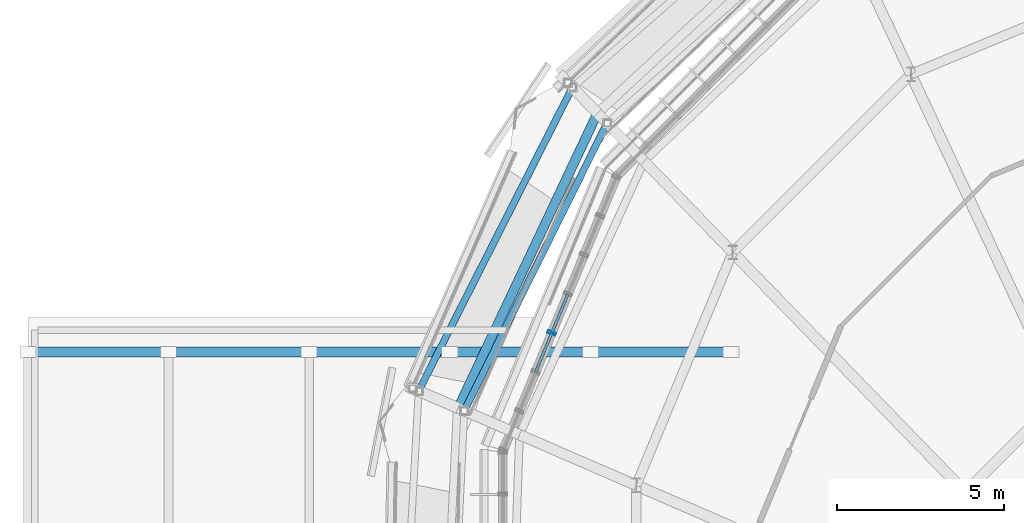
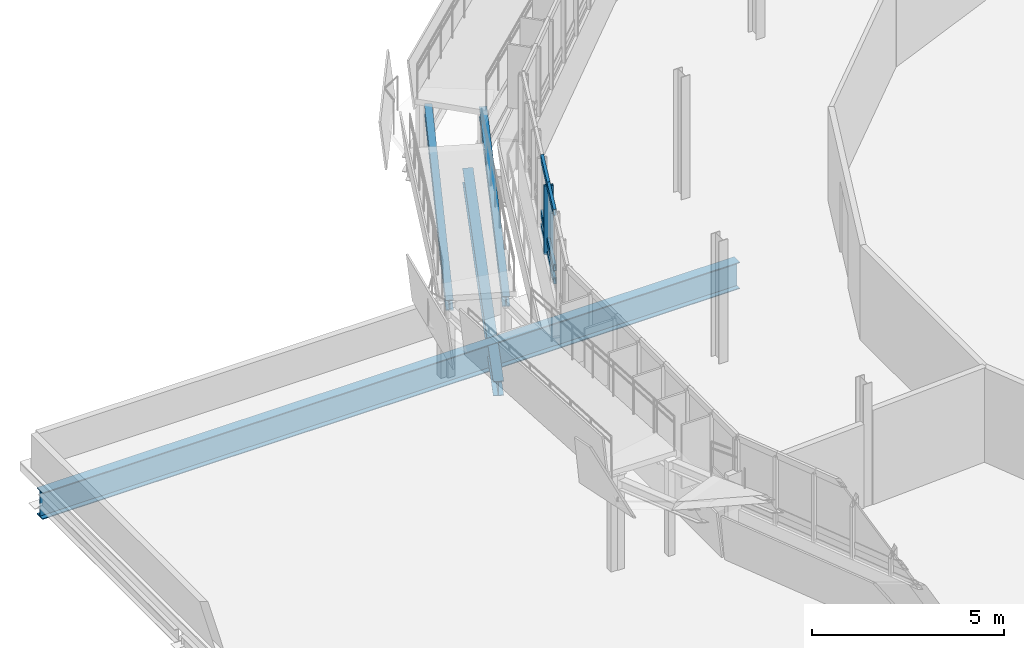
# One storey, part 23 of 61: 7 members, 4 beams, 1 element without a shape of its own.
"""IFC4 building model written with IfcOpenShell, lengths in metres."""

from ifc_helpers import new_model, si_unit, derived_unit, direction, frame, origin, origin_2d, place, context, subcontext, project, spatial, hollow_rectangle, i_section, extrude, material, layer, layer_set, material_profile, profile_set, type_object, element, aggregate, save


model = new_model("IFC4")

# Units and contexts
model_context = context("Model", 3, precision=1e-05, world=origin(), true_north=direction((0.0, 1.0)))
body_context = subcontext(model_context, "Body", "Model", "MODEL_VIEW")
ifc_project = project(units=[si_unit("LENGTHUNIT", "METRE"), si_unit("AREAUNIT", "SQUARE_METRE"), si_unit("VOLUMEUNIT", "CUBIC_METRE"), si_unit("PLANEANGLEUNIT", "RADIAN"), si_unit("MASSUNIT", "GRAM", prefix="KILO"), derived_unit("THERMALTRANSMITTANCEUNIT", [(si_unit("MASSUNIT", "GRAM", prefix="KILO"), 1), (si_unit("TIMEUNIT", "SECOND"), -3), (si_unit("THERMODYNAMICTEMPERATUREUNIT", "KELVIN"), -1)])], contexts=[model_context])

# Site, building, storey
site_placement = place(None, origin())
site = spatial("IfcSite", under=ifc_project, at=site_placement, CompositionType="ELEMENT")
building_placement = place(site_placement, origin())
building = spatial("IfcBuilding", under=site, at=building_placement, Name="Makaiwela Harbour Ferry Terminal", CompositionType="ELEMENT")
storey_placement = place(building_placement, frame((0.0, 0.0, 13.800048828125)))
storey = spatial("IfcBuildingStorey", under=building, at=storey_placement, Name="L03", CompositionType="ELEMENT", Elevation=13.800048828125)

# Curtain wall, members
ifc_material_1 = material(Name="Marine anodised aluminium 6063-T6", Category="aluminium")
ifc_layer = layer(ifc_material_1, 0.199951171875)
ifc_layer_set = layer_set([ifc_layer], Name="Marine anodised aluminium 6063-T6")
curtain_wall_type = type_object("IfcCurtainWallType", Name="ENV-CW-05", PredefinedType="USERDEFINED", material=ifc_layer_set)
curtain_wall_placement = place(storey_placement, origin())
curtain_wall = element("IfcCurtainWall", 1, at=curtain_wall_placement, inside=storey, type_object=curtain_wall_type, Name="Unitised Curtain Wall CWA-034", ObjectType="UNITIZED CURTAIN WALL", PredefinedType="USERDEFINED")
ifc_material_profile_1 = material_profile(ifc_material_1, hollow_rectangle(XDim=0.0849609375, YDim=0.25, WallThickness=0.0048828125, at=origin_2d()), Name="CWM-250X85")
ifc_profile_set_1 = profile_set([ifc_material_profile_1], Name="Marine anodised aluminium 6063-T6")
member_type_1 = type_object("IfcMemberType", Name="CW-MUL-250", PredefinedType="MULLION", material=ifc_profile_set_1)
member_1_placement = place(storey_placement, frame((15.648681640625, 76.414306640625, 1.47998046875), z_axis=(0.0, 0.0, 1.0), x_axis=(0.382683432365, 0.923879532511, 0.0)))
member_1 = element("IfcMember", 2, at=member_1_placement, type_object=member_type_1, Name="Curtain Wall Mullion CWA-034-5", PredefinedType="MULLION", context=body_context, shape_type="SweptSolid", body=[
    extrude(hollow_rectangle(XDim=0.0849609375, YDim=0.25, WallThickness=0.0048828125, at=origin_2d()), origin(), (0.0, 0.0, 1.0), 2.179931640625),
])
ifc_material_profile_2 = material_profile(ifc_material_1, hollow_rectangle(XDim=0.0849609375, YDim=0.199951171875, WallThickness=0.0048828125, at=origin_2d()), Name="CWT-200X85")
ifc_profile_set_2 = profile_set([ifc_material_profile_2], Name="Marine anodised aluminium 6063-T6")
member_type_2 = type_object("IfcMemberType", Name="CW-TRN-200", PredefinedType="USERDEFINED", material=ifc_profile_set_2)
member_2_placement = place(storey_placement, frame((16.1318359375, 77.580810546875, 1.47998046875), z_axis=(-0.382664881013, -0.923887216515, 0.0), x_axis=(0.923887216515, -0.382664881013, 0.0)))
member_2 = element("IfcMember", 3, at=member_2_placement, type_object=member_type_2, Name="Curtain Wall Transom CWA-034-4-1", ObjectType="TRANSOM", PredefinedType="USERDEFINED", context=body_context, shape_type="SweptSolid", body=[
    extrude(hollow_rectangle(XDim=0.0849609375, YDim=0.199951171875, WallThickness=0.0048828125, at=origin_2d()), origin(), (0.0, 0.0, 1.0), 1.2626953125),
])
member_3_placement = place(storey_placement, frame((16.1318359375, 77.580810546875, 1.89990234375), z_axis=(-0.382664881013, -0.923887216515, 0.0), x_axis=(0.923887216515, -0.382664881013, 0.0)))
member_3 = element("IfcMember", 4, at=member_3_placement, type_object=member_type_2, Name="Curtain Wall Transom CWA-034-4-2", ObjectType="TRANSOM", PredefinedType="USERDEFINED", context=body_context, shape_type="SweptSolid", body=[
    extrude(hollow_rectangle(XDim=0.0849609375, YDim=0.199951171875, WallThickness=0.0048828125, at=origin_2d()), origin(), (0.0, 0.0, 1.0), 1.2626953125),
])
member_4_placement = place(storey_placement, frame((16.1318359375, 77.580810546875, 3.659912109375), z_axis=(-0.382664881013, -0.923887216515, 0.0), x_axis=(0.923887216515, -0.382664881013, 0.0)))
member_4 = element("IfcMember", 5, at=member_4_placement, type_object=member_type_2, Name="Curtain Wall Transom CWA-034-4-3", ObjectType="TRANSOM", PredefinedType="USERDEFINED", context=body_context, shape_type="SweptSolid", body=[
    extrude(hollow_rectangle(XDim=0.0849609375, YDim=0.199951171875, WallThickness=0.0048828125, at=origin_2d()), origin(), (0.0, 0.0, 1.0), 1.2626953125),
])
member_5_placement = place(storey_placement, frame((15.648681640625, 76.414306640625, 1.47998046875), z_axis=(-0.382636543056, -0.923898953305, 0.0), x_axis=(0.923898953305, -0.382636543056, 0.0)))
member_5 = element("IfcMember", 6, at=member_5_placement, type_object=member_type_2, Name="Curtain Wall Transom CWA-034-5-1", ObjectType="TRANSOM", PredefinedType="USERDEFINED", context=body_context, shape_type="SweptSolid", body=[
    extrude(hollow_rectangle(XDim=0.0849609375, YDim=0.199951171875, WallThickness=0.0048828125, at=origin_2d()), origin(), (0.0, 0.0, 1.0), 1.261962890625),
])
member_6_placement = place(storey_placement, frame((15.648681640625, 76.414306640625, 1.89990234375), z_axis=(-0.382636543056, -0.923898953305, 0.0), x_axis=(0.923898953305, -0.382636543056, 0.0)))
member_6 = element("IfcMember", 7, at=member_6_placement, type_object=member_type_2, Name="Curtain Wall Transom CWA-034-5-2", ObjectType="TRANSOM", PredefinedType="USERDEFINED", context=body_context, shape_type="SweptSolid", body=[
    extrude(hollow_rectangle(XDim=0.0849609375, YDim=0.199951171875, WallThickness=0.0048828125, at=origin_2d()), origin(), (0.0, 0.0, 1.0), 1.261962890625),
])
member_7_placement = place(storey_placement, frame((15.648681640625, 76.414306640625, 3.659912109375), z_axis=(-0.382636543056, -0.923898953305, 0.0), x_axis=(0.923898953305, -0.382636543056, 0.0)))
member_7 = element("IfcMember", 8, at=member_7_placement, type_object=member_type_2, Name="Curtain Wall Transom CWA-034-5-3", ObjectType="TRANSOM", PredefinedType="USERDEFINED", context=body_context, shape_type="SweptSolid", body=[
    extrude(hollow_rectangle(XDim=0.0849609375, YDim=0.199951171875, WallThickness=0.0048828125, at=origin_2d()), origin(), (0.0, 0.0, 1.0), 1.261962890625),
])
aggregate(curtain_wall, [member_1, member_2, member_3, member_4, member_5, member_6, member_7])

# Beams
ifc_material_2 = material(Name="Steel ASTM A992 Grade 50", Category="steel")
ifc_material_profile_3 = material_profile(ifc_material_2, i_section(OverallWidth=0.280029296875, OverallDepth=0.462890625, WebThickness=0.0107421875, FlangeThickness=0.017333984375, at=origin_2d()), Name="W18X76")
ifc_profile_set_3 = profile_set([ifc_material_profile_3], Name="Steel ASTM A992 Grade 50")
beam_type_1 = type_object("IfcBeamType", Name="STR-BM-W18X76", PredefinedType="BEAM", material=ifc_profile_set_3)
beam_1_placement = place(storey_placement, frame((17.013427734375, 82.98486328125, -0.486572265625), z_axis=(-0.427213957475, -0.904150559663, 0.0), x_axis=(0.904150559663, -0.427213957475, 0.0)))
element("IfcBeam", 9, at=beam_1_placement, inside=storey, type_object=beam_type_1, Name="Drum stage2 tie girder 341", PredefinedType="BEAM", context=body_context, shape_type="SweptSolid", body=[
    extrude(i_section(OverallWidth=0.280029296875, OverallDepth=0.462890625, WebThickness=0.0107421875, FlangeThickness=0.017333984375, at=origin_2d()), origin(), (0.0, 0.0, 1.0), 9.746337890625),
])
ifc_material_profile_4 = material_profile(ifc_material_2, i_section(OverallWidth=0.2939453125, OverallDepth=0.85107421875, WebThickness=0.01611328125, FlangeThickness=0.02685546875, at=origin_2d()), Name="W33X152")
ifc_profile_set_4 = profile_set([ifc_material_profile_4], Name="Steel ASTM A992 Grade 50")
beam_type_2 = type_object("IfcBeamType", Name="STR-GRD-W33X152", PredefinedType="USERDEFINED", material=ifc_profile_set_4)
beam_2_placement = place(storey_placement, frame((0.0, 75.85009765625, -0.66552734375), z_axis=(1.0, 0.0, 0.0), x_axis=(0.0, 1.0, 0.0)))
element("IfcBeam", 10, at=beam_2_placement, inside=storey, type_object=beam_type_2, Name="West bridge truss top chord 3", ObjectType="GIRDER", PredefinedType="USERDEFINED", context=body_context, shape_type="SweptSolid", body=[
    extrude(i_section(OverallWidth=0.2939453125, OverallDepth=0.85107421875, WebThickness=0.01611328125, FlangeThickness=0.02685546875, at=origin_2d()), origin(), (0.0, 0.0, 1.0), 21.0),
])
ifc_material_profile_5 = material_profile(ifc_material_2, i_section(OverallWidth=0.205078125, OverallDepth=0.31005859375, WebThickness=0.009521484375, FlangeThickness=0.016357421875, at=origin_2d()), Name="W12X50")
ifc_profile_set_5 = profile_set([ifc_material_profile_5], Name="Steel ASTM A992 Grade 50")
beam_type_3 = type_object("IfcBeamType", Name="STR-LNT-W12X50", PredefinedType="LINTEL", material=ifc_profile_set_5)
beam_3_placement = place(storey_placement, frame((17.30029296875, 82.689208984375, 1.619873046875), z_axis=(-0.44343742531, -0.893753194289, 0.067590513628), x_axis=(0.895801761787, -0.444453826149, 0.0)))
element("IfcBeam", 11, at=beam_3_placement, inside=storey, type_object=beam_type_3, Name="Coiled Ramp Stringer L03-F4-IN", PredefinedType="LINTEL", context=body_context, shape_type="SweptSolid", body=[
    extrude(i_section(OverallWidth=0.205078125, OverallDepth=0.31005859375, WebThickness=0.009521484375, FlangeThickness=0.016357421875, at=origin_2d()), origin(), (0.0, 0.0, 1.0), 9.618896484375),
])
beam_4_placement = place(storey_placement, frame((16.265380859375, 83.755615234375, 1.4248046875), z_axis=(-0.450228490569, -0.889091804275, 0.082523147365), x_axis=(0.892134743744, -0.451769409107, 0.0)))
element("IfcBeam", 12, at=beam_4_placement, inside=storey, type_object=beam_type_3, Name="Coiled Ramp Stringer L03-F4-OUT", PredefinedType="LINTEL", context=body_context, shape_type="SweptSolid", body=[
    extrude(i_section(OverallWidth=0.205078125, OverallDepth=0.31005859375, WebThickness=0.009521484375, FlangeThickness=0.016357421875, at=origin_2d()), origin(), (0.0, 0.0, 1.0), 10.20361328125),
])

save(model, "model.ifc")
